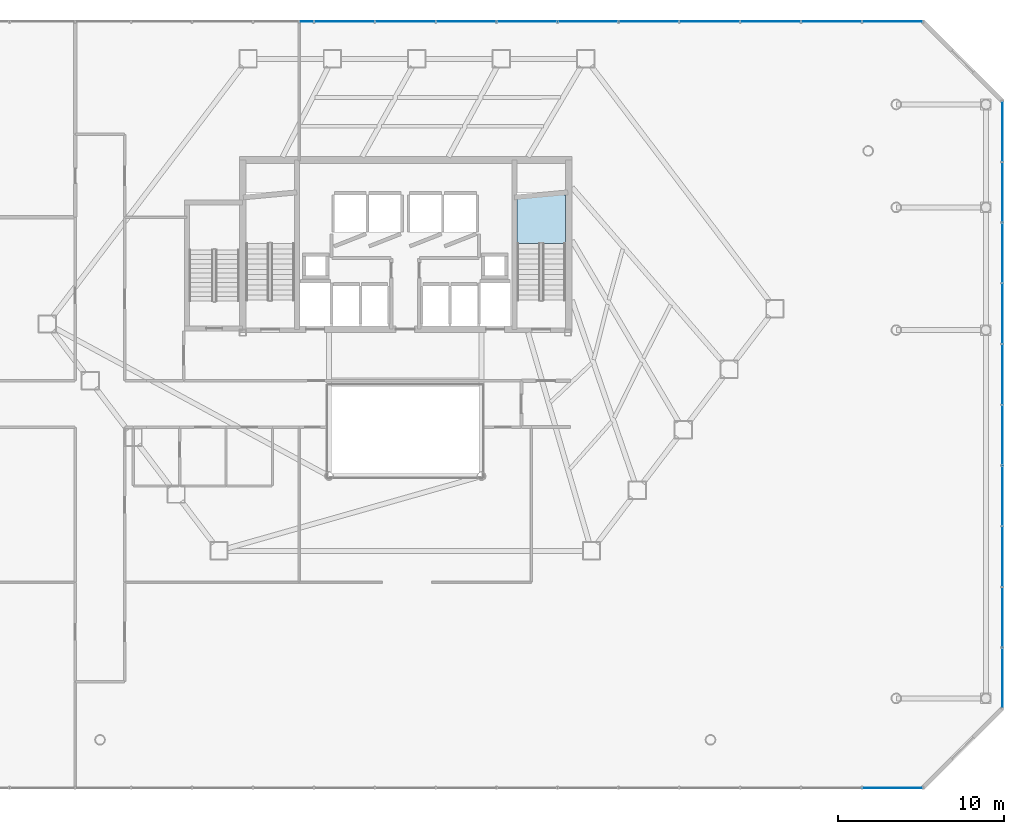
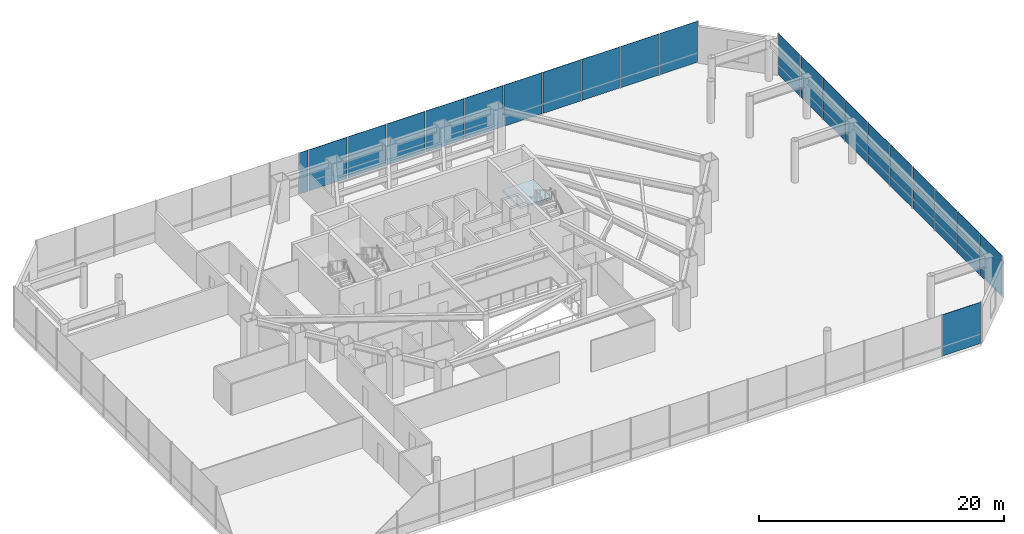
# One storey, part 33 of 37: 22 plates, 1 slab, 4 elements without a shape of their own.
"""IFC4 building model written with IfcOpenShell, lengths in metres."""

from ifc_helpers import new_model, si_unit, direction, frame, origin, origin_2d, place, context, subcontext, project, spatial, polyline, rectangle, outline, extrude, material, layer, layer_set, type_object, element, aggregate, save


model = new_model("IFC4")

# Units and contexts
model_context = context("Model", 3, precision=1e-05, world=origin(), true_north=direction((0.0, 1.0)))
body_context = subcontext(model_context, "Body", "Model", "MODEL_VIEW")
ifc_project = project(units=[si_unit("LENGTHUNIT", "METRE"), si_unit("AREAUNIT", "SQUARE_METRE"), si_unit("VOLUMEUNIT", "CUBIC_METRE"), si_unit("PLANEANGLEUNIT", "RADIAN"), si_unit("MASSUNIT", "GRAM", prefix="KILO")], contexts=[model_context])

# Site, building, storey
site_placement = place(None, origin())
site = spatial("IfcSite", under=ifc_project, at=site_placement, CompositionType="ELEMENT")
building_placement = place(site_placement, origin())
building = spatial("IfcBuilding", under=site, at=building_placement, Name="Zarrinselat Tower", CompositionType="ELEMENT")
storey_placement = place(building_placement, frame((0.0, 0.0, 13.93994140625)))
storey = spatial("IfcBuildingStorey", under=building, at=storey_placement, Name="L03", CompositionType="ELEMENT", Elevation=13.93994140625)

# Curtain wall, plate
ifc_material_1 = material(Name="Extruded Aluminium Alloy EN AW-6063 T6", Category="aluminium")
ifc_layer_1 = layer(ifc_material_1, 0.2099609375)
ifc_layer_set_1 = layer_set([ifc_layer_1], Name="Extruded Aluminium Alloy EN AW-6063 T6")
curtain_wall_type = type_object("IfcCurtainWallType", Name="CWS-POD", PredefinedType="NOTDEFINED", material=ifc_layer_set_1)
curtain_wall_1_placement = place(storey_placement, origin())
curtain_wall_1 = element("IfcCurtainWall", 1, at=curtain_wall_1_placement, inside=storey, type_object=curtain_wall_type, Name="L03 Unitised Curtain Wall CW-L03-F1", PredefinedType="NOTDEFINED")
ifc_material_2 = material(Name="Double Low-E Laminated Solar Glass", Category="glass")
ifc_layer_2 = layer(ifc_material_2, 0.035888671875)
ifc_layer_set_2 = layer_set([ifc_layer_2], Name="Double Low-E Laminated Solar Glass")
plate_type = type_object("IfcPlateType", Name="PLT-CW-GL36", PredefinedType="CURTAIN_PANEL", material=ifc_layer_set_2)
plate_1_placement = place(storey_placement, frame((67.7646484375, 5.60009765625, 0.02001953125), z_axis=(0.0, 0.0, 1.0), x_axis=(1.0, 0.0, 0.0)))
plate_1 = element("IfcPlate", 2, at=plate_1_placement, type_object=plate_type, Name="CW-L03-F1 Vision Glass Panel 17", PredefinedType="CURTAIN_PANEL", context=body_context, shape_type="SweptSolid", body=[
    extrude(rectangle(XDim=3.570556640625, YDim=0.035888671875, at=origin_2d()), origin(), (0.0, 0.0, 1.0), 4.10009765625),
])
aggregate(curtain_wall_1, [plate_1])

# Curtain wall, plates
curtain_wall_2_placement = place(storey_placement, origin())
curtain_wall_2 = element("IfcCurtainWall", 3, at=curtain_wall_2_placement, inside=storey, type_object=curtain_wall_type, Name="L03 Unitised Curtain Wall CW-L03-F3", PredefinedType="NOTDEFINED")
plate_2_placement = place(storey_placement, frame((74.39990234375, 12.22998046875, 0.02001953125), z_axis=(0.0, 0.0, 1.0), x_axis=(0.0, 1.0, 0.0)))
plate_2 = element("IfcPlate", 4, at=plate_2_placement, type_object=plate_type, Name="CW-L03-F3 Vision Glass Panel 1", PredefinedType="CURTAIN_PANEL", context=body_context, shape_type="SweptSolid", body=[
    extrude(rectangle(XDim=3.56005859375, YDim=0.035888671875, at=origin_2d()), origin(), (0.0, 0.0, 1.0), 4.10009765625),
])
plate_3_placement = place(storey_placement, frame((74.39990234375, 15.889892578125, 0.02001953125), z_axis=(0.0, 0.0, 1.0), x_axis=(0.0, 1.0, 0.0)))
plate_3 = element("IfcPlate", 5, at=plate_3_placement, type_object=plate_type, Name="CW-L03-F3 Vision Glass Panel 2", PredefinedType="CURTAIN_PANEL", context=body_context, shape_type="SweptSolid", body=[
    extrude(rectangle(XDim=3.56005859375, YDim=0.035888671875, at=origin_2d()), origin(), (0.0, 0.0, 1.0), 4.10009765625),
])
plate_4_placement = place(storey_placement, frame((74.39990234375, 19.550048828125, 0.02001953125), z_axis=(0.0, 0.0, 1.0), x_axis=(0.0, 1.0, 0.0)))
plate_4 = element("IfcPlate", 6, at=plate_4_placement, type_object=plate_type, Name="CW-L03-F3 Vision Glass Panel 3", PredefinedType="CURTAIN_PANEL", context=body_context, shape_type="SweptSolid", body=[
    extrude(rectangle(XDim=3.56005859375, YDim=0.035888671875, at=origin_2d()), origin(), (0.0, 0.0, 1.0), 4.10009765625),
])
plate_5_placement = place(storey_placement, frame((74.39990234375, 23.2099609375, 0.02001953125), z_axis=(0.0, 0.0, 1.0), x_axis=(0.0, 1.0, 0.0)))
plate_5 = element("IfcPlate", 7, at=plate_5_placement, type_object=plate_type, Name="CW-L03-F3 Vision Glass Panel 4", PredefinedType="CURTAIN_PANEL", context=body_context, shape_type="SweptSolid", body=[
    extrude(rectangle(XDim=3.56005859375, YDim=0.035888671875, at=origin_2d()), origin(), (0.0, 0.0, 1.0), 4.10009765625),
])
plate_6_placement = place(storey_placement, frame((74.39990234375, 26.8701171875, 0.02001953125), z_axis=(0.0, 0.0, 1.0), x_axis=(0.0, 1.0, 0.0)))
plate_6 = element("IfcPlate", 8, at=plate_6_placement, type_object=plate_type, Name="CW-L03-F3 Vision Glass Panel 5", PredefinedType="CURTAIN_PANEL", context=body_context, shape_type="SweptSolid", body=[
    extrude(rectangle(XDim=3.56005859375, YDim=0.035888671875, at=origin_2d()), origin(), (0.0, 0.0, 1.0), 4.10009765625),
])
plate_7_placement = place(storey_placement, frame((74.39990234375, 30.530029296875, 0.02001953125), z_axis=(0.0, 0.0, 1.0), x_axis=(0.0, 1.0, 0.0)))
plate_7 = element("IfcPlate", 9, at=plate_7_placement, type_object=plate_type, Name="CW-L03-F3 Vision Glass Panel 6", PredefinedType="CURTAIN_PANEL", context=body_context, shape_type="SweptSolid", body=[
    extrude(rectangle(XDim=3.56005859375, YDim=0.035888671875, at=origin_2d()), origin(), (0.0, 0.0, 1.0), 4.10009765625),
])
plate_8_placement = place(storey_placement, frame((74.39990234375, 34.18994140625, 0.02001953125), z_axis=(0.0, 0.0, 1.0), x_axis=(0.0, 1.0, 0.0)))
plate_8 = element("IfcPlate", 10, at=plate_8_placement, type_object=plate_type, Name="CW-L03-F3 Vision Glass Panel 7", PredefinedType="CURTAIN_PANEL", context=body_context, shape_type="SweptSolid", body=[
    extrude(rectangle(XDim=3.56005859375, YDim=0.035888671875, at=origin_2d()), origin(), (0.0, 0.0, 1.0), 4.10009765625),
])
plate_9_placement = place(storey_placement, frame((74.39990234375, 37.85009765625, 0.02001953125), z_axis=(0.0, 0.0, 1.0), x_axis=(0.0, 1.0, 0.0)))
plate_9 = element("IfcPlate", 11, at=plate_9_placement, type_object=plate_type, Name="CW-L03-F3 Vision Glass Panel 8", PredefinedType="CURTAIN_PANEL", context=body_context, shape_type="SweptSolid", body=[
    extrude(rectangle(XDim=3.56005859375, YDim=0.035888671875, at=origin_2d()), origin(), (0.0, 0.0, 1.0), 4.10009765625),
])
plate_10_placement = place(storey_placement, frame((74.39990234375, 41.510009765625, 0.02001953125), z_axis=(0.0, 0.0, 1.0), x_axis=(0.0, 1.0, 0.0)))
plate_10 = element("IfcPlate", 12, at=plate_10_placement, type_object=plate_type, Name="CW-L03-F3 Vision Glass Panel 9", PredefinedType="CURTAIN_PANEL", context=body_context, shape_type="SweptSolid", body=[
    extrude(rectangle(XDim=3.56005859375, YDim=0.035888671875, at=origin_2d()), origin(), (0.0, 0.0, 1.0), 4.10009765625),
])
plate_11_placement = place(storey_placement, frame((74.39990234375, 45.169921875, 0.02001953125), z_axis=(0.0, 0.0, 1.0), x_axis=(0.0, 1.0, 0.0)))
plate_11 = element("IfcPlate", 13, at=plate_11_placement, type_object=plate_type, Name="CW-L03-F3 Vision Glass Panel 10", PredefinedType="CURTAIN_PANEL", context=body_context, shape_type="SweptSolid", body=[
    extrude(rectangle(XDim=3.56005859375, YDim=0.035888671875, at=origin_2d()), origin(), (0.0, 0.0, 1.0), 4.10009765625),
])
aggregate(curtain_wall_2, [plate_2, plate_3, plate_4, plate_5, plate_6, plate_7, plate_8, plate_9, plate_10, plate_11])

curtain_wall_3_placement = place(storey_placement, origin())
curtain_wall_3 = element("IfcCurtainWall", 14, at=curtain_wall_3_placement, inside=storey, type_object=curtain_wall_type, Name="L03 Unitised Curtain Wall CW-L03-F5", PredefinedType="NOTDEFINED")
plate_12_placement = place(storey_placement, frame((67.7646484375, 51.800048828125, 0.02001953125), z_axis=(0.0, 0.0, 1.0), x_axis=(-1.0, 0.0, 0.0)))
plate_12 = element("IfcPlate", 15, at=plate_12_placement, type_object=plate_type, Name="CW-L03-F5 Vision Glass Panel 1", PredefinedType="CURTAIN_PANEL", context=body_context, shape_type="SweptSolid", body=[
    extrude(rectangle(XDim=3.570556640625, YDim=0.035888671875, at=origin_2d()), origin(), (0.0, 0.0, 1.0), 4.10009765625),
])
plate_13_placement = place(storey_placement, frame((64.093994140625, 51.800048828125, 0.02001953125), z_axis=(0.0, 0.0, 1.0), x_axis=(-1.0, 0.0, 0.0)))
plate_13 = element("IfcPlate", 16, at=plate_13_placement, type_object=plate_type, Name="CW-L03-F5 Vision Glass Panel 2", PredefinedType="CURTAIN_PANEL", context=body_context, shape_type="SweptSolid", body=[
    extrude(rectangle(XDim=3.570556640625, YDim=0.035888671875, at=origin_2d()), origin(), (0.0, 0.0, 1.0), 4.10009765625),
])
plate_14_placement = place(storey_placement, frame((60.423583984375, 51.800048828125, 0.02001953125), z_axis=(0.0, 0.0, 1.0), x_axis=(-1.0, 0.0, 0.0)))
plate_14 = element("IfcPlate", 17, at=plate_14_placement, type_object=plate_type, Name="CW-L03-F5 Vision Glass Panel 3", PredefinedType="CURTAIN_PANEL", context=body_context, shape_type="SweptSolid", body=[
    extrude(rectangle(XDim=3.570556640625, YDim=0.035888671875, at=origin_2d()), origin(), (0.0, 0.0, 1.0), 4.10009765625),
])
plate_15_placement = place(storey_placement, frame((56.7529296875, 51.800048828125, 0.02001953125), z_axis=(0.0, 0.0, 1.0), x_axis=(-1.0, 0.0, 0.0)))
plate_15 = element("IfcPlate", 18, at=plate_15_placement, type_object=plate_type, Name="CW-L03-F5 Vision Glass Panel 4", PredefinedType="CURTAIN_PANEL", context=body_context, shape_type="SweptSolid", body=[
    extrude(rectangle(XDim=3.570556640625, YDim=0.035888671875, at=origin_2d()), origin(), (0.0, 0.0, 1.0), 4.10009765625),
])
plate_16_placement = place(storey_placement, frame((53.08251953125, 51.800048828125, 0.02001953125), z_axis=(0.0, 0.0, 1.0), x_axis=(-1.0, 0.0, 0.0)))
plate_16 = element("IfcPlate", 19, at=plate_16_placement, type_object=plate_type, Name="CW-L03-F5 Vision Glass Panel 5", PredefinedType="CURTAIN_PANEL", context=body_context, shape_type="SweptSolid", body=[
    extrude(rectangle(XDim=3.570556640625, YDim=0.035888671875, at=origin_2d()), origin(), (0.0, 0.0, 1.0), 4.10009765625),
])
plate_17_placement = place(storey_placement, frame((49.411865234375, 51.800048828125, 0.02001953125), z_axis=(0.0, 0.0, 1.0), x_axis=(-1.0, 0.0, 0.0)))
plate_17 = element("IfcPlate", 20, at=plate_17_placement, type_object=plate_type, Name="CW-L03-F5 Vision Glass Panel 6", PredefinedType="CURTAIN_PANEL", context=body_context, shape_type="SweptSolid", body=[
    extrude(rectangle(XDim=3.570556640625, YDim=0.035888671875, at=origin_2d()), origin(), (0.0, 0.0, 1.0), 4.10009765625),
])
plate_18_placement = place(storey_placement, frame((45.7412109375, 51.800048828125, 0.02001953125), z_axis=(0.0, 0.0, 1.0), x_axis=(-1.0, 0.0, 0.0)))
plate_18 = element("IfcPlate", 21, at=plate_18_placement, type_object=plate_type, Name="CW-L03-F5 Vision Glass Panel 7", PredefinedType="CURTAIN_PANEL", context=body_context, shape_type="SweptSolid", body=[
    extrude(rectangle(XDim=3.570556640625, YDim=0.035888671875, at=origin_2d()), origin(), (0.0, 0.0, 1.0), 4.10009765625),
])
plate_19_placement = place(storey_placement, frame((42.070556640625, 51.800048828125, 0.02001953125), z_axis=(0.0, 0.0, 1.0), x_axis=(-1.0, 0.0, 0.0)))
plate_19 = element("IfcPlate", 22, at=plate_19_placement, type_object=plate_type, Name="CW-L03-F5 Vision Glass Panel 8", PredefinedType="CURTAIN_PANEL", context=body_context, shape_type="SweptSolid", body=[
    extrude(rectangle(XDim=3.570556640625, YDim=0.035888671875, at=origin_2d()), origin(), (0.0, 0.0, 1.0), 4.10009765625),
])
plate_20_placement = place(storey_placement, frame((38.39990234375, 51.800048828125, 0.02001953125), z_axis=(0.0, 0.0, 1.0), x_axis=(-1.0, 0.0, 0.0)))
plate_20 = element("IfcPlate", 23, at=plate_20_placement, type_object=plate_type, Name="CW-L03-F5 Vision Glass Panel 9", PredefinedType="CURTAIN_PANEL", context=body_context, shape_type="SweptSolid", body=[
    extrude(rectangle(XDim=3.570556640625, YDim=0.035888671875, at=origin_2d()), origin(), (0.0, 0.0, 1.0), 4.10009765625),
])
plate_21_placement = place(storey_placement, frame((34.7294921875, 51.800048828125, 0.02001953125), z_axis=(0.0, 0.0, 1.0), x_axis=(-1.0, 0.0, 0.0)))
plate_21 = element("IfcPlate", 24, at=plate_21_placement, type_object=plate_type, Name="CW-L03-F5 Vision Glass Panel 10", PredefinedType="CURTAIN_PANEL", context=body_context, shape_type="SweptSolid", body=[
    extrude(rectangle(XDim=3.570556640625, YDim=0.035888671875, at=origin_2d()), origin(), (0.0, 0.0, 1.0), 4.10009765625),
])
plate_22_placement = place(storey_placement, frame((32.447021484375, 51.800048828125, 0.02001953125), z_axis=(0.0, 0.0, 1.0), x_axis=(-1.0, 0.0, 0.0)))
plate_22 = element("IfcPlate", 25, at=plate_22_placement, type_object=plate_type, Name="CW-L03-F5 Vision Glass Panel 11", PredefinedType="CURTAIN_PANEL", context=body_context, shape_type="SweptSolid", body=[
    extrude(rectangle(XDim=0.794189453125, YDim=0.035888671875, at=origin_2d()), origin(), (0.0, 0.0, 1.0), 4.10009765625),
])
aggregate(curtain_wall_3, [plate_12, plate_13, plate_14, plate_15, plate_16, plate_17, plate_18, plate_19, plate_20, plate_21, plate_22])

# Stair, slab
ifc_material_3 = material(Name="Concrete C40/50", Category="concrete")
stair_type = type_object("IfcStairType", Name="STR-CORE-155", PredefinedType="HALF_TURN_STAIR", material=ifc_material_3)
stair_placement = place(storey_placement, origin())
stair = element("IfcStair", 26, at=stair_placement, inside=storey, type_object=stair_type, Name="L03 Core Exit Stair 2", PredefinedType="HALF_TURN_STAIR")
ifc_material_4 = material(Name="Concrete C40/50", Category="concrete")
ifc_layer_3 = layer(ifc_material_4, 0.18994140625)
ifc_layer_set_3 = layer_set([ifc_layer_3], Name="Concrete C40/50")
slab_type = type_object("IfcSlabType", Name="SLB-LND-190", PredefinedType="LANDING", material=ifc_layer_set_3)
slab_placement = place(storey_placement, frame((0.0, 0.0, 2.010009765625)))
slab = element("IfcSlab", 27, at=slab_placement, type_object=slab_type, Name="ST-2 landing 1", PredefinedType="LANDING", context=body_context, shape_type="SweptSolid", body=[
    extrude(outline(polyline([(48.06005859375, 38.409912109375), (48.06005859375, 41.35009765625), (45.139892578125, 41.35009765625), (45.139892578125, 38.409912109375), (48.06005859375, 38.409912109375)])), origin(), (0.0, 0.0, 1.0), 0.199951171875),
])
aggregate(stair, [slab])

save(model, "model.ifc")
